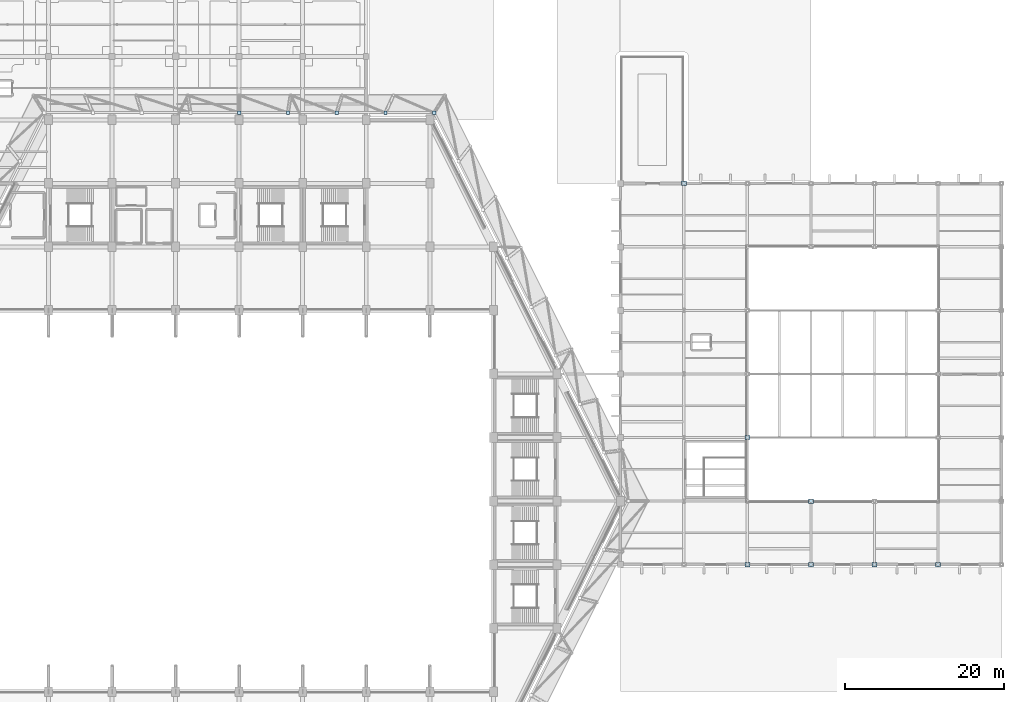
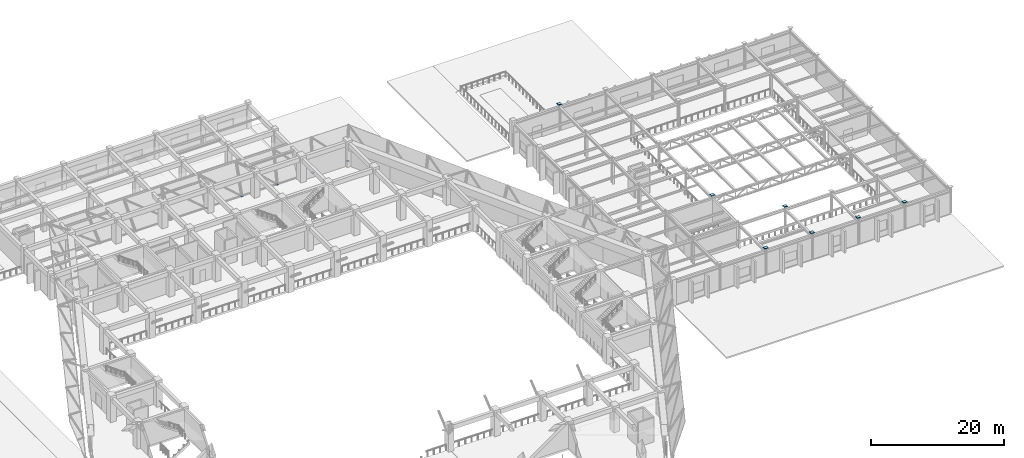
# One storey, part 27 of 46: 12 plates.
"""IFC4 building model written with IfcOpenShell, lengths in metres."""

from ifc_helpers import new_model, si_unit, direction, frame, origin, origin_2d, place, context, subcontext, project, spatial, rectangle, extrude, material, layer, layer_set, type_object, element, save


model = new_model("IFC4")

# Units and contexts
model_context = context("Model", 3, precision=1e-05, world=origin(), true_north=direction((0.0, 1.0)))
body_context = subcontext(model_context, "Body", "Model", "MODEL_VIEW")
ifc_project = project(units=[si_unit("LENGTHUNIT", "METRE"), si_unit("AREAUNIT", "SQUARE_METRE"), si_unit("VOLUMEUNIT", "CUBIC_METRE"), si_unit("PLANEANGLEUNIT", "RADIAN"), si_unit("MASSUNIT", "GRAM", prefix="KILO")], contexts=[model_context])

# Site, building, storey
site_placement = place(None, origin())
site = spatial("IfcSite", under=ifc_project, at=site_placement, CompositionType="ELEMENT")
building_placement = place(site_placement, origin())
building = spatial("IfcBuilding", under=site, at=building_placement, Name="Tazarka Park Arena", CompositionType="ELEMENT")
storey_placement = place(building_placement, frame((0.0, 0.0, 10.199951171875)))
storey = spatial("IfcBuildingStorey", under=building, at=storey_placement, Name="L02", CompositionType="ELEMENT", Elevation=10.199951171875)

# Plates
ifc_material_1 = material(Name="Steel S460", Category="steel")
ifc_layer_1 = layer(ifc_material_1, 0.030029296875, Name="Steel S460")
ifc_layer_set_1 = layer_set([ifc_layer_1], Name="Steel S460")
plate_type_1 = type_object("IfcPlateType", Name="PLT-PL-01", PredefinedType="SHEET", material=ifc_layer_set_1)
for number, where, z_axis, x_axis, name in (
    (1, (144.0, 104.0, 4.7998046875), (0.0, 0.0, 1.0), (1.0, 0.0, 0.0), "CPL-L02-18-13"),
    (2, (152.0, 56.0, 4.7998046875), (0.0, 0.0, 1.0), (1.0, 0.0, 0.0), "CPL-L02-19-07"),
    (3, (152.0, 72.0, 4.7998046875), (0.0, 0.0, 1.0), (1.0, 0.0, 0.0), "CPL-L02-19-09"),
    (4, (160.0, 56.0, 4.7998046875), (0.0, 0.0, 1.0), (1.0, 0.0, 0.0), "CPL-L02-20-07"),
    (5, (160.0, 64.0, 4.7998046875), (0.0, 0.0, 1.0), (1.0, 0.0, 0.0), "CPL-L02-20-08"),
    (6, (168.0, 56.0, 4.7998046875), (0.0, 0.0, 1.0), (1.0, 0.0, 0.0), "CPL-L02-21-07"),
    (7, (176.0, 56.0, 4.7998046875), (0.0, 0.0, 1.0), (1.0, 0.0, 0.0), "CPL-L02-22-07"),
):
    element("IfcPlate", number, at=place(storey_placement, frame(where, z_axis=z_axis, x_axis=x_axis)), inside=storey, type_object=plate_type_1, Name=name, PredefinedType="SHEET", context=body_context, shape_type="SweptSolid", body=[
        extrude(rectangle(XDim=0.6201171875, YDim=0.56005859375, at=origin_2d()), origin(), (0.0, 0.0, 1.0), 0.030029296875),
    ])
ifc_material_2 = material(Name="Steel S460", Category="steel")
ifc_layer_2 = layer(ifc_material_2, 0.02587890625, Name="Steel S460")
ifc_layer_set_2 = layer_set([ifc_layer_2], Name="Steel S460")
plate_type_2 = type_object("IfcPlateType", Name="PLT-PL-14", PredefinedType="USERDEFINED", material=ifc_layer_set_2)
for number, where, z_axis, x_axis, name in (
    (8, (112.55615234375, 112.89990234375, -0.012939453125), (0.0, 0.0, 1.0), (1.0, 0.0, 0.0), "GMP-B-24"),
    (9, (106.417236328125, 112.89990234375, -0.012939453125), (0.0, 0.0, 1.0), (1.0, 0.0, 0.0), "GMP-B-25"),
    (10, (100.278076171875, 112.89990234375, -0.012939453125), (0.0, 0.0, 1.0), (1.0, 0.0, 0.0), "GMP-B-26"),
    (11, (94.138916015625, 112.89990234375, -0.012939453125), (0.0, 0.0, 1.0), (1.0, 0.0, 0.0), "GMP-B-27"),
    (12, (88.0, 112.89990234375, -0.012939453125), (0.0, 0.0, 1.0), (1.0, 0.0, 0.0), "GMP-B-28"),
):
    element("IfcPlate", number, at=place(storey_placement, frame(where, z_axis=z_axis, x_axis=x_axis)), inside=storey, type_object=plate_type_2, Name=name, ObjectType="STIFFENER", PredefinedType="USERDEFINED", context=body_context, shape_type="SweptSolid", body=[
        extrude(rectangle(XDim=0.39990234375, YDim=0.39990234375, at=origin_2d()), origin(), (0.0, 0.0, 1.0), 0.02587890625),
    ])

save(model, "model.ifc")
